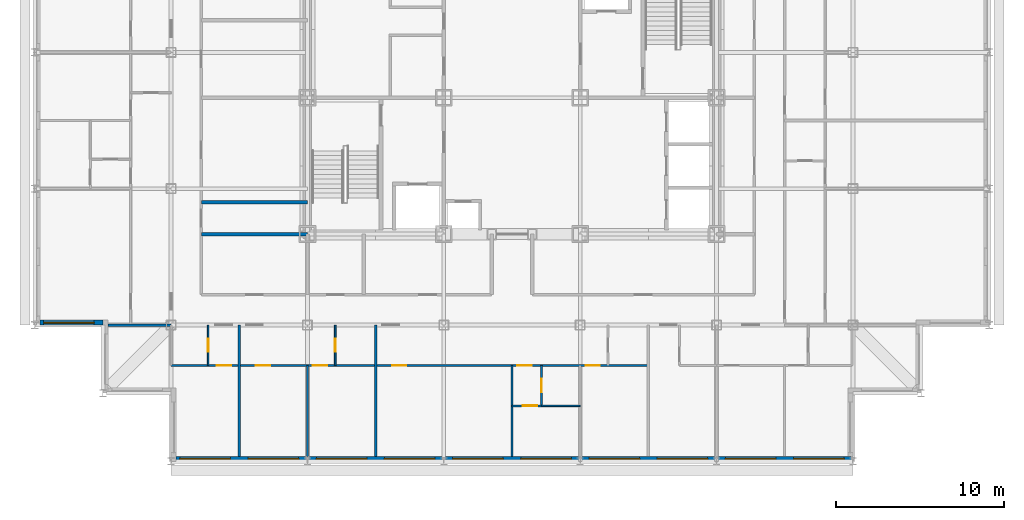
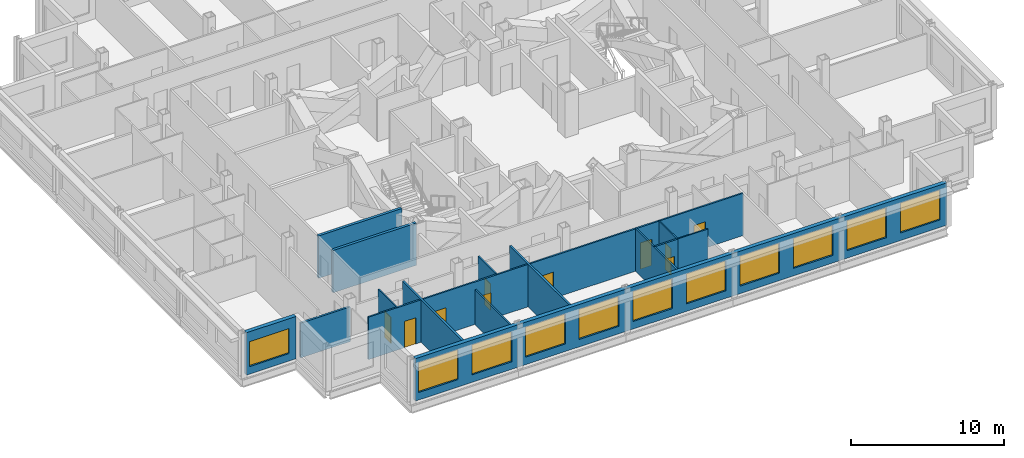
# One storey, part 4 of 12: 15 walls, 11 windows, 10 doors, 21 openings.
"""IFC4 building model written with IfcOpenShell, lengths in metres."""

from ifc_helpers import new_model, si_unit, direction, frame, frame_2d, origin, place, context, subcontext, project, spatial, rectangle, extrude, material, layer, layer_set, type_object, element, fill, save


model = new_model("IFC4")

# Units and contexts
model_context = context("Model", 3, precision=1e-05, world=origin(), true_north=direction((0.0, 1.0)))
body_context = subcontext(model_context, "Body", "Model", "MODEL_VIEW")
ifc_project = project(units=[si_unit("LENGTHUNIT", "METRE"), si_unit("AREAUNIT", "SQUARE_METRE"), si_unit("VOLUMEUNIT", "CUBIC_METRE"), si_unit("PLANEANGLEUNIT", "RADIAN"), si_unit("MASSUNIT", "GRAM", prefix="KILO")], contexts=[model_context])

# Site, building, storey
site_placement = place(None, origin())
site = spatial("IfcSite", under=ifc_project, at=site_placement, CompositionType="ELEMENT")
building_placement = place(site_placement, origin())
building = spatial("IfcBuilding", under=site, at=building_placement, Name="Kopane Lantern Tower", CompositionType="ELEMENT")
storey_placement = place(building_placement, frame((0.0, 0.0, 206.39990234375)))
storey = spatial("IfcBuildingStorey", under=building, at=storey_placement, Name="L53", CompositionType="ELEMENT", Elevation=206.39990234375)

# Walls
ifc_material_1 = material(Name="Gypsum board on steel studs", Category="steel")
ifc_layer_1 = layer(ifc_material_1, 0.1201171875)
ifc_layer_set_1 = layer_set([ifc_layer_1], Name="APARTMENT INTERNAL WALL 120")
wall_type_1 = type_object("IfcWallType", Name="APARTMENT INTERNAL WALL 120", PredefinedType="PARTITIONING", material=ifc_layer_set_1)
wall_1_placement = place(storey_placement, frame((16.199951171875, 16.5, 0.0), z_axis=(0.0, 0.0, 1.0), x_axis=(0.0, -1.0, 0.0)))
element("IfcWall", 1, at=wall_1_placement, inside=storey, type_object=wall_type_1, Name="Apartment Internal Wall 120 L53", PredefinedType="PARTITIONING", context=body_context, shape_type="SweptSolid", body=[
    extrude(rectangle(XDim=5.39990234375, YDim=0.1201171875, at=frame_2d((2.699951171875, 0.0))), origin(), (0.0, 0.0, 1.0), 2.77783203125),
])
wall_2_placement = place(storey_placement, frame((28.35009765625, 16.5, 0.0), z_axis=(0.0, 0.0, 1.0), x_axis=(0.0, -1.0, 0.0)))
element("IfcWall", 2, at=wall_2_placement, inside=storey, type_object=wall_type_1, Name="Apartment Internal Wall 120 L53", PredefinedType="PARTITIONING", context=body_context, shape_type="SweptSolid", body=[
    extrude(rectangle(XDim=5.39990234375, YDim=0.1201171875, at=frame_2d((2.699951171875, 0.0))), origin(), (0.0, 0.0, 1.0), 3.39013671875),
])

# Wall, openings, doors
wall_3_placement = place(storey_placement, frame((8.10009765625, 16.5, 0.0), z_axis=(0.0, 0.0, 1.0), x_axis=(1.0, 0.0, 0.0)))
wall_3 = element("IfcWall", 3, at=wall_3_placement, inside=storey, type_object=wall_type_1, Name="Apartment Internal Wall 120 L53", PredefinedType="PARTITIONING", context=body_context, shape_type="SweptSolid", body=[
    extrude(rectangle(XDim=28.349853515625, YDim=0.1201171875, at=frame_2d((14.1748046875, 0.0))), origin(), (0.0, 0.0, 1.0), 3.39013671875),
])
opening_1_placement = place(wall_3_placement, frame((5.02490234375, 0.0, 0.0)))
opening_1 = element("IfcOpeningElement", 4, at=opening_1_placement, cuts=wall_3, Name="Opening L53-019", PredefinedType="OPENING", context=body_context, shape_type="SweptSolid", body=[
    extrude(rectangle(XDim=0.85009765625, YDim=2.10009765625, at=frame_2d((0.425048828125, 1.050048828125))), frame((0.0, 0.070068359375, 0.0), z_axis=(0.0, -1.0, 0.0), x_axis=(1.0, 0.0, 0.0)), (0.0, 0.0, 1.0), 0.14013671875),
])
opening_2_placement = place(wall_3_placement, frame((8.425048828125, 0.0, 0.0)))
opening_2 = element("IfcOpeningElement", 5, at=opening_2_placement, cuts=wall_3, Name="Opening L53-020", PredefinedType="OPENING", context=body_context, shape_type="SweptSolid", body=[
    extrude(rectangle(XDim=0.85009765625, YDim=2.10009765625, at=frame_2d((0.425048828125, 1.050048828125))), frame((0.0, 0.070068359375, 0.0), z_axis=(0.0, -1.0, 0.0), x_axis=(1.0, 0.0, 0.0)), (0.0, 0.0, 1.0), 0.14013671875),
])
opening_3_placement = place(wall_3_placement, frame((13.125, 0.0, 0.0)))
opening_3 = element("IfcOpeningElement", 6, at=opening_3_placement, cuts=wall_3, Name="Opening L53-023", PredefinedType="OPENING", context=body_context, shape_type="SweptSolid", body=[
    extrude(rectangle(XDim=0.85009765625, YDim=2.10009765625, at=frame_2d((0.425048828125, 1.050048828125))), frame((0.0, 0.070068359375, 0.0), z_axis=(0.0, -1.0, 0.0), x_axis=(1.0, 0.0, 0.0)), (0.0, 0.0, 1.0), 0.14013671875),
])
opening_4_placement = place(wall_3_placement, frame((20.574951171875, 0.0, 0.0)))
opening_4 = element("IfcOpeningElement", 7, at=opening_4_placement, cuts=wall_3, Name="Opening L53-025", PredefinedType="OPENING", context=body_context, shape_type="SweptSolid", body=[
    extrude(rectangle(XDim=0.85009765625, YDim=2.10009765625, at=frame_2d((0.425048828125, 1.050048828125))), frame((0.0, 0.070068359375, 0.0), z_axis=(0.0, -1.0, 0.0), x_axis=(1.0, 0.0, 0.0)), (0.0, 0.0, 1.0), 0.14013671875),
])
opening_5_placement = place(wall_3_placement, frame((24.625, 0.0, 0.0)))
opening_5 = element("IfcOpeningElement", 8, at=opening_5_placement, cuts=wall_3, Name="Opening L53-026", PredefinedType="OPENING", context=body_context, shape_type="SweptSolid", body=[
    extrude(rectangle(XDim=0.85009765625, YDim=2.10009765625, at=frame_2d((0.425048828125, 1.050048828125))), frame((0.0, 0.070068359375, 0.0), z_axis=(0.0, -1.0, 0.0), x_axis=(1.0, 0.0, 0.0)), (0.0, 0.0, 1.0), 0.14013671875),
])
opening_6_placement = place(wall_3_placement, frame((2.72509765625, 0.0, 0.0)))
opening_6 = element("IfcOpeningElement", 9, at=opening_6_placement, cuts=wall_3, Name="Opening L53-065", PredefinedType="OPENING", context=body_context, shape_type="SweptSolid", body=[
    extrude(rectangle(XDim=0.85009765625, YDim=2.10009765625, at=frame_2d((0.425048828125, 1.050048828125))), frame((0.0, 0.070068359375, 0.0), z_axis=(0.0, -1.0, 0.0), x_axis=(1.0, 0.0, 0.0)), (0.0, 0.0, 1.0), 0.14013671875),
])
ifc_material_2 = material(Name="Timber door set", Category="wood")
door_type_1 = type_object("IfcDoorType", Name="DOOR D4 850x2100", OperationType="SINGLE_SWING_LEFT", PredefinedType="DOOR", material=ifc_material_2)
door_1_placement = place(opening_1_placement, origin())
door_1 = element("IfcDoor", 10, at=door_1_placement, inside=storey, type_object=door_type_1, Name="Door L53-019", OperationType="SINGLE_SWING_LEFT", OverallHeight=2.10009765625, OverallWidth=0.85009765625, PredefinedType="DOOR", context=body_context, shape_type="SweptSolid", body=[
    extrude(rectangle(XDim=0.85009765625, YDim=2.10009765625, at=frame_2d((0.425048828125, 1.050048828125))), frame((0.0, 0.02490234375, 0.0), z_axis=(0.0, -1.0, 0.0), x_axis=(1.0, 0.0, 0.0)), (0.0, 0.0, 1.0), 0.050048828125),
])
fill(opening_1, door_1)
door_2_placement = place(opening_2_placement, origin())
door_2 = element("IfcDoor", 11, at=door_2_placement, inside=storey, type_object=door_type_1, Name="Door L53-020", OperationType="SINGLE_SWING_RIGHT", OverallHeight=2.10009765625, OverallWidth=0.85009765625, PredefinedType="DOOR", context=body_context, shape_type="SweptSolid", body=[
    extrude(rectangle(XDim=0.85009765625, YDim=2.10009765625, at=frame_2d((0.425048828125, 1.050048828125))), frame((0.0, 0.02490234375, 0.0), z_axis=(0.0, -1.0, 0.0), x_axis=(1.0, 0.0, 0.0)), (0.0, 0.0, 1.0), 0.050048828125),
])
fill(opening_2, door_2)
door_3_placement = place(opening_3_placement, origin())
door_3 = element("IfcDoor", 12, at=door_3_placement, inside=storey, type_object=door_type_1, Name="Door L53-023", OperationType="SINGLE_SWING_RIGHT", OverallHeight=2.10009765625, OverallWidth=0.85009765625, PredefinedType="DOOR", context=body_context, shape_type="SweptSolid", body=[
    extrude(rectangle(XDim=0.85009765625, YDim=2.10009765625, at=frame_2d((0.425048828125, 1.050048828125))), frame((0.0, 0.02490234375, 0.0), z_axis=(0.0, -1.0, 0.0), x_axis=(1.0, 0.0, 0.0)), (0.0, 0.0, 1.0), 0.050048828125),
])
fill(opening_3, door_3)
door_4_placement = place(opening_4_placement, origin())
door_4 = element("IfcDoor", 13, at=door_4_placement, inside=storey, type_object=door_type_1, Name="Door L53-025", OperationType="SINGLE_SWING_RIGHT", OverallHeight=2.10009765625, OverallWidth=0.85009765625, PredefinedType="DOOR", context=body_context, shape_type="SweptSolid", body=[
    extrude(rectangle(XDim=0.85009765625, YDim=2.10009765625, at=frame_2d((0.425048828125, 1.050048828125))), frame((0.0, 0.02490234375, 0.0), z_axis=(0.0, -1.0, 0.0), x_axis=(1.0, 0.0, 0.0)), (0.0, 0.0, 1.0), 0.050048828125),
])
fill(opening_4, door_4)
door_5_placement = place(opening_5_placement, origin())
door_5 = element("IfcDoor", 14, at=door_5_placement, inside=storey, type_object=door_type_1, Name="Door L53-026", OperationType="SINGLE_SWING_RIGHT", OverallHeight=2.10009765625, OverallWidth=0.85009765625, PredefinedType="DOOR", context=body_context, shape_type="SweptSolid", body=[
    extrude(rectangle(XDim=0.85009765625, YDim=2.10009765625, at=frame_2d((0.425048828125, 1.050048828125))), frame((0.0, 0.02490234375, 0.0), z_axis=(0.0, -1.0, 0.0), x_axis=(1.0, 0.0, 0.0)), (0.0, 0.0, 1.0), 0.050048828125),
])
fill(opening_5, door_5)
door_6_placement = place(opening_6_placement, origin())
door_6 = element("IfcDoor", 15, at=door_6_placement, inside=storey, type_object=door_type_1, Name="Door L53-065", OperationType="SINGLE_SWING_LEFT", OverallHeight=2.10009765625, OverallWidth=0.85009765625, PredefinedType="DOOR", context=body_context, shape_type="SweptSolid", body=[
    extrude(rectangle(XDim=0.85009765625, YDim=2.10009765625, at=frame_2d((0.425048828125, 1.050048828125))), frame((0.0, 0.02490234375, 0.0), z_axis=(0.0, -1.0, 0.0), x_axis=(1.0, 0.0, 0.0)), (0.0, 0.0, 1.0), 0.050048828125),
])
fill(opening_6, door_6)

# Wall, opening, door
wall_4_placement = place(storey_placement, frame((30.110107421875, 14.10009765625, 0.0), z_axis=(0.0, 0.0, 1.0), x_axis=(-1.0, 0.0, 0.0)))
wall_4 = element("IfcWall", 16, at=wall_4_placement, inside=storey, type_object=wall_type_1, Name="Apartment Internal Wall 120 L53", PredefinedType="PARTITIONING", context=body_context, shape_type="SweptSolid", body=[
    extrude(rectangle(XDim=1.760009765625, YDim=0.1201171875, at=frame_2d((0.8798828125, 0.0))), origin(), (0.0, 0.0, 1.0), 3.39013671875),
])
opening_7_placement = place(wall_4_placement, frame((0.27490234375, 0.0, 0.0)))
opening_7 = element("IfcOpeningElement", 17, at=opening_7_placement, cuts=wall_4, Name="Opening L53-080", PredefinedType="OPENING", context=body_context, shape_type="SweptSolid", body=[
    extrude(rectangle(XDim=0.85009765625, YDim=2.10009765625, at=frame_2d((0.425048828125, 1.050048828125))), frame((0.0, 0.070068359375, 0.0), z_axis=(0.0, -1.0, 0.0), x_axis=(1.0, 0.0, 0.0)), (0.0, 0.0, 1.0), 0.14013671875),
])
door_7_placement = place(opening_7_placement, origin())
door_7 = element("IfcDoor", 18, at=door_7_placement, inside=storey, type_object=door_type_1, Name="Door L53-080", OperationType="SINGLE_SWING_RIGHT", OverallHeight=2.10009765625, OverallWidth=0.85009765625, PredefinedType="DOOR", context=body_context, shape_type="SweptSolid", body=[
    extrude(rectangle(XDim=0.85009765625, YDim=2.10009765625, at=frame_2d((0.425048828125, 1.050048828125))), frame((0.0, 0.02490234375, 0.0), z_axis=(0.0, -1.0, 0.0), x_axis=(1.0, 0.0, 0.0)), (0.0, 0.0, 1.0), 0.050048828125),
])
fill(opening_7, door_7)

ifc_material_3 = material(Name="Moisture-resistant board on steel studs", Category="steel")
ifc_layer_2 = layer(ifc_material_3, 0.10009765625)
ifc_layer_set_2 = layer_set([ifc_layer_2], Name="BATHROOM WALL 100")
wall_type_2 = type_object("IfcWallType", Name="BATHROOM WALL 100", PredefinedType="PARTITIONING", material=ifc_layer_set_2)
wall_5_placement = place(storey_placement, frame((17.85009765625, 18.89990234375, 0.0), z_axis=(0.0, 0.0, 1.0), x_axis=(0.0, -1.0, 0.0)))
wall_5 = element("IfcWall", 19, at=wall_5_placement, inside=storey, type_object=wall_type_2, Name="Bathroom Wall 100 L53", PredefinedType="PARTITIONING", context=body_context, shape_type="SweptSolid", body=[
    extrude(rectangle(XDim=2.39990234375, YDim=0.10009765625, at=frame_2d((1.199951171875, 0.0))), origin(), (0.0, 0.0, 1.0), 3.39013671875),
])
opening_8_placement = place(wall_5_placement, frame((0.800048828125, 0.0, 0.0)))
opening_8 = element("IfcOpeningElement", 20, at=opening_8_placement, cuts=wall_5, Name="Opening L53-017", PredefinedType="OPENING", context=body_context, shape_type="SweptSolid", body=[
    extrude(rectangle(XDim=0.800048828125, YDim=2.10009765625, at=frame_2d((0.39990234375, 1.050048828125))), frame((0.0, 0.06005859375, 0.0), z_axis=(0.0, -1.0, 0.0), x_axis=(1.0, 0.0, 0.0)), (0.0, 0.0, 1.0), 0.1201171875),
])
ifc_material_4 = material(Name="Timber door set", Category="wood")
door_type_2 = type_object("IfcDoorType", Name="DOOR D2 800x2100", OperationType="SINGLE_SWING_LEFT", PredefinedType="DOOR", material=ifc_material_4)
door_8_placement = place(opening_8_placement, origin())
door_8 = element("IfcDoor", 21, at=door_8_placement, inside=storey, type_object=door_type_2, Name="Door L53-017", OperationType="SINGLE_SWING_LEFT", OverallHeight=2.10009765625, OverallWidth=0.800048828125, PredefinedType="DOOR", context=body_context, shape_type="SweptSolid", body=[
    extrude(rectangle(XDim=0.800048828125, YDim=2.10009765625, at=frame_2d((0.39990234375, 1.050048828125))), frame((0.0, 0.02490234375, 0.0), z_axis=(0.0, -1.0, 0.0), x_axis=(1.0, 0.0, 0.0)), (0.0, 0.0, 1.0), 0.050048828125),
])
fill(opening_8, door_8)

wall_6_placement = place(storey_placement, frame((30.10009765625, 16.5, 0.0), z_axis=(0.0, 0.0, 1.0), x_axis=(0.0, -1.0, 0.0)))
wall_6 = element("IfcWall", 22, at=wall_6_placement, inside=storey, type_object=wall_type_2, Name="Bathroom Wall 100 L53", PredefinedType="PARTITIONING", context=body_context, shape_type="SweptSolid", body=[
    extrude(rectangle(XDim=2.39990234375, YDim=0.10009765625, at=frame_2d((1.199951171875, 0.0))), origin(), (0.0, 0.0, 1.0), 3.39013671875),
])
opening_9_placement = place(wall_6_placement, frame((0.800048828125, 0.0, 0.0)))
opening_9 = element("IfcOpeningElement", 23, at=opening_9_placement, cuts=wall_6, Name="Opening L53-024", PredefinedType="OPENING", context=body_context, shape_type="SweptSolid", body=[
    extrude(rectangle(XDim=0.800048828125, YDim=2.10009765625, at=frame_2d((0.39990234375, 1.050048828125))), frame((0.0, 0.06005859375, 0.0), z_axis=(0.0, -1.0, 0.0), x_axis=(1.0, 0.0, 0.0)), (0.0, 0.0, 1.0), 0.1201171875),
])
door_9_placement = place(opening_9_placement, origin())
door_9 = element("IfcDoor", 24, at=door_9_placement, inside=storey, type_object=door_type_2, Name="Door L53-024", OperationType="SINGLE_SWING_LEFT", OverallHeight=2.10009765625, OverallWidth=0.800048828125, PredefinedType="DOOR", context=body_context, shape_type="SweptSolid", body=[
    extrude(rectangle(XDim=0.800048828125, YDim=2.10009765625, at=frame_2d((0.39990234375, 1.050048828125))), frame((0.0, 0.02490234375, 0.0), z_axis=(0.0, -1.0, 0.0), x_axis=(1.0, 0.0, 0.0)), (0.0, 0.0, 1.0), 0.050048828125),
])
fill(opening_9, door_9)

# Wall
wall_7_placement = place(storey_placement, frame((30.10009765625, 14.10009765625, 0.0), z_axis=(0.0, 0.0, 1.0), x_axis=(1.0, 0.0, 0.0)))
element("IfcWall", 25, at=wall_7_placement, inside=storey, type_object=wall_type_2, Name="Bathroom Wall 100 L53", PredefinedType="PARTITIONING", context=body_context, shape_type="SweptSolid", body=[
    extrude(rectangle(XDim=2.2998046875, YDim=0.10009765625, at=frame_2d((1.14990234375, 0.0))), origin(), (0.0, 0.0, 1.0), 3.39013671875),
])

# Wall, opening, door
wall_8_placement = place(storey_placement, frame((10.300048828125, 18.89990234375, 0.0), z_axis=(0.0, 0.0, 1.0), x_axis=(0.0, -1.0, 0.0)))
wall_8 = element("IfcWall", 26, at=wall_8_placement, inside=storey, type_object=wall_type_2, Name="Bathroom Wall 100 L53", PredefinedType="PARTITIONING", context=body_context, shape_type="SweptSolid", body=[
    extrude(rectangle(XDim=2.39990234375, YDim=0.10009765625, at=frame_2d((1.199951171875, 0.0))), origin(), (0.0, 0.0, 1.0), 3.39013671875),
])
opening_10_placement = place(wall_8_placement, frame((0.800048828125, 0.0, 0.0)))
opening_10 = element("IfcOpeningElement", 27, at=opening_10_placement, cuts=wall_8, Name="Opening L53-063", PredefinedType="OPENING", context=body_context, shape_type="SweptSolid", body=[
    extrude(rectangle(XDim=0.800048828125, YDim=2.10009765625, at=frame_2d((0.39990234375, 1.050048828125))), frame((0.0, 0.06005859375, 0.0), z_axis=(0.0, -1.0, 0.0), x_axis=(1.0, 0.0, 0.0)), (0.0, 0.0, 1.0), 0.1201171875),
])
door_10_placement = place(opening_10_placement, origin())
door_10 = element("IfcDoor", 28, at=door_10_placement, inside=storey, type_object=door_type_2, Name="Door L53-063", OperationType="SINGLE_SWING_RIGHT", OverallHeight=2.10009765625, OverallWidth=0.800048828125, PredefinedType="DOOR", context=body_context, shape_type="SweptSolid", body=[
    extrude(rectangle(XDim=0.800048828125, YDim=2.10009765625, at=frame_2d((0.39990234375, 1.050048828125))), frame((0.0, 0.02490234375, 0.0), z_axis=(0.0, -1.0, 0.0), x_axis=(1.0, 0.0, 0.0)), (0.0, 0.0, 1.0), 0.050048828125),
])
fill(opening_10, door_10)

# Walls
ifc_material_5 = material(Name="Gypsum board on steel studs", Category="steel")
ifc_layer_3 = layer(ifc_material_5, 0.14990234375)
ifc_layer_set_3 = layer_set([ifc_layer_3], Name="DEMISING WALL 150 EI 60")
wall_type_3 = type_object("IfcWallType", Name="DEMISING WALL 150 EI 60", PredefinedType="PARTITIONING", material=ifc_layer_set_3)
wall_9_placement = place(storey_placement, frame((20.25, 18.89990234375, 0.0), z_axis=(0.0, 0.0, 1.0), x_axis=(0.0, -1.0, 0.0)))
element("IfcWall", 29, at=wall_9_placement, inside=storey, type_object=wall_type_3, Name="Demising Wall 150 Ei 60 L53", PredefinedType="PARTITIONING", context=body_context, shape_type="SweptSolid", body=[
    extrude(rectangle(XDim=7.7998046875, YDim=0.14990234375, at=frame_2d((3.89990234375, 0.0))), origin(), (0.0, 0.0, 1.0), 3.39013671875),
])
wall_10_placement = place(storey_placement, frame((4.35009765625, 18.89990234375, 0.0), z_axis=(0.0, 0.0, 1.0), x_axis=(1.0, 0.0, 0.0)))
element("IfcWall", 30, at=wall_10_placement, inside=storey, type_object=wall_type_3, Name="Demising Wall 150 Ei 60 L53", PredefinedType="PARTITIONING", context=body_context, shape_type="SweptSolid", body=[
    extrude(rectangle(XDim=3.75, YDim=0.14990234375, at=frame_2d((1.875, 0.0))), origin(), (0.0, 0.0, 1.0), 2.77783203125),
])
wall_11_placement = place(storey_placement, frame((12.14990234375, 18.89990234375, 0.0), z_axis=(0.0, 0.0, 1.0), x_axis=(0.0, -1.0, 0.0)))
element("IfcWall", 31, at=wall_11_placement, inside=storey, type_object=wall_type_3, Name="Demising Wall 150 Ei 60 L53", PredefinedType="PARTITIONING", context=body_context, shape_type="SweptSolid", body=[
    extrude(rectangle(XDim=7.7998046875, YDim=0.14990234375, at=frame_2d((3.89990234375, 0.0))), origin(), (0.0, 0.0, 1.0), 3.39013671875),
])

# Wall, openings, windows
ifc_material_6 = material(Name="Terracotta rainscreen on light steel framing", Category="masonry")
ifc_layer_4 = layer(ifc_material_6, 0.300048828125)
ifc_layer_set_4 = layer_set([ifc_layer_4], Name="EXTERNAL WALL EW1 300 TERRACOTTA")
wall_type_4 = type_object("IfcWallType", Name="EXTERNAL WALL EW1 300 TERRACOTTA", PredefinedType="SOLIDWALL", material=ifc_layer_set_4)
wall_12_placement = place(storey_placement, frame((8.39990234375, 10.949951171875, 0.0), z_axis=(0.0, 0.0, 1.0), x_axis=(1.0, 0.0, 0.0)))
wall_12 = element("IfcWall", 32, at=wall_12_placement, inside=storey, type_object=wall_type_4, Name="External wall S L53", PredefinedType="SOLIDWALL", context=body_context, shape_type="SweptSolid", body=[
    extrude(rectangle(XDim=40.2001953125, YDim=0.300048828125, at=frame_2d((20.10009765625, 0.0))), origin(), (0.0, 0.0, 1.0), 3.39013671875),
])
opening_11_placement = place(wall_12_placement, frame((0.22509765625, 0.0, 0.60009765625)))
opening_11 = element("IfcOpeningElement", 33, at=opening_11_placement, cuts=wall_12, Name="Opening WR300240", PredefinedType="OPENING", context=body_context, shape_type="SweptSolid", body=[
    extrude(rectangle(XDim=3.0, YDim=2.39990234375, at=frame_2d((1.5, 1.199951171875))), frame((0.0, 0.159912109375, 0.0), z_axis=(0.0, -1.0, 0.0), x_axis=(1.0, 0.0, 0.0)), (0.0, 0.0, 1.0), 0.320068359375),
])
opening_12_placement = place(wall_12_placement, frame((4.27490234375, 0.0, 0.60009765625)))
opening_12 = element("IfcOpeningElement", 34, at=opening_12_placement, cuts=wall_12, Name="Opening WR300240", PredefinedType="OPENING", context=body_context, shape_type="SweptSolid", body=[
    extrude(rectangle(XDim=3.0, YDim=2.39990234375, at=frame_2d((1.5, 1.199951171875))), frame((0.0, 0.159912109375, 0.0), z_axis=(0.0, -1.0, 0.0), x_axis=(1.0, 0.0, 0.0)), (0.0, 0.0, 1.0), 0.320068359375),
])
opening_13_placement = place(wall_12_placement, frame((8.324951171875, 0.0, 0.60009765625)))
opening_13 = element("IfcOpeningElement", 35, at=opening_13_placement, cuts=wall_12, Name="Opening WR300240", PredefinedType="OPENING", context=body_context, shape_type="SweptSolid", body=[
    extrude(rectangle(XDim=3.0, YDim=2.39990234375, at=frame_2d((1.5, 1.199951171875))), frame((0.0, 0.159912109375, 0.0), z_axis=(0.0, -1.0, 0.0), x_axis=(1.0, 0.0, 0.0)), (0.0, 0.0, 1.0), 0.320068359375),
])
opening_14_placement = place(wall_12_placement, frame((12.375, 0.0, 0.60009765625)))
opening_14 = element("IfcOpeningElement", 36, at=opening_14_placement, cuts=wall_12, Name="Opening WR300240", PredefinedType="OPENING", context=body_context, shape_type="SweptSolid", body=[
    extrude(rectangle(XDim=3.0, YDim=2.39990234375, at=frame_2d((1.5, 1.199951171875))), frame((0.0, 0.159912109375, 0.0), z_axis=(0.0, -1.0, 0.0), x_axis=(1.0, 0.0, 0.0)), (0.0, 0.0, 1.0), 0.320068359375),
])
opening_15_placement = place(wall_12_placement, frame((16.425048828125, 0.0, 0.60009765625)))
opening_15 = element("IfcOpeningElement", 37, at=opening_15_placement, cuts=wall_12, Name="Opening WR300240", PredefinedType="OPENING", context=body_context, shape_type="SweptSolid", body=[
    extrude(rectangle(XDim=3.0, YDim=2.39990234375, at=frame_2d((1.5, 1.199951171875))), frame((0.0, 0.159912109375, 0.0), z_axis=(0.0, -1.0, 0.0), x_axis=(1.0, 0.0, 0.0)), (0.0, 0.0, 1.0), 0.320068359375),
])
opening_16_placement = place(wall_12_placement, frame((20.47509765625, 0.0, 0.60009765625)))
opening_16 = element("IfcOpeningElement", 38, at=opening_16_placement, cuts=wall_12, Name="Opening WR300240", PredefinedType="OPENING", context=body_context, shape_type="SweptSolid", body=[
    extrude(rectangle(XDim=3.0, YDim=2.39990234375, at=frame_2d((1.5, 1.199951171875))), frame((0.0, 0.159912109375, 0.0), z_axis=(0.0, -1.0, 0.0), x_axis=(1.0, 0.0, 0.0)), (0.0, 0.0, 1.0), 0.320068359375),
])
opening_17_placement = place(wall_12_placement, frame((24.52490234375, 0.0, 0.60009765625)))
opening_17 = element("IfcOpeningElement", 39, at=opening_17_placement, cuts=wall_12, Name="Opening WR300240", PredefinedType="OPENING", context=body_context, shape_type="SweptSolid", body=[
    extrude(rectangle(XDim=3.0, YDim=2.39990234375, at=frame_2d((1.5, 1.199951171875))), frame((0.0, 0.159912109375, 0.0), z_axis=(0.0, -1.0, 0.0), x_axis=(1.0, 0.0, 0.0)), (0.0, 0.0, 1.0), 0.320068359375),
])
opening_18_placement = place(wall_12_placement, frame((28.574951171875, 0.0, 0.60009765625)))
opening_18 = element("IfcOpeningElement", 40, at=opening_18_placement, cuts=wall_12, Name="Opening WR300240", PredefinedType="OPENING", context=body_context, shape_type="SweptSolid", body=[
    extrude(rectangle(XDim=3.0, YDim=2.39990234375, at=frame_2d((1.5, 1.199951171875))), frame((0.0, 0.159912109375, 0.0), z_axis=(0.0, -1.0, 0.0), x_axis=(1.0, 0.0, 0.0)), (0.0, 0.0, 1.0), 0.320068359375),
])
opening_19_placement = place(wall_12_placement, frame((32.625, 0.0, 0.60009765625)))
opening_19 = element("IfcOpeningElement", 41, at=opening_19_placement, cuts=wall_12, Name="Opening WR300240", PredefinedType="OPENING", context=body_context, shape_type="SweptSolid", body=[
    extrude(rectangle(XDim=3.0, YDim=2.39990234375, at=frame_2d((1.5, 1.199951171875))), frame((0.0, 0.159912109375, 0.0), z_axis=(0.0, -1.0, 0.0), x_axis=(1.0, 0.0, 0.0)), (0.0, 0.0, 1.0), 0.320068359375),
])
opening_20_placement = place(wall_12_placement, frame((36.675048828125, 0.0, 0.60009765625)))
opening_20 = element("IfcOpeningElement", 42, at=opening_20_placement, cuts=wall_12, Name="Opening WR300240", PredefinedType="OPENING", context=body_context, shape_type="SweptSolid", body=[
    extrude(rectangle(XDim=3.0, YDim=2.39990234375, at=frame_2d((1.5, 1.199951171875))), frame((0.0, 0.159912109375, 0.0), z_axis=(0.0, -1.0, 0.0), x_axis=(1.0, 0.0, 0.0)), (0.0, 0.0, 1.0), 0.320068359375),
])
ifc_material_7 = material(Name="Aluminium and clear glass", Category="aluminium")
window_type_1 = type_object("IfcWindowType", Name="RIBBON WINDOW WR300240 3000x2400", PartitioningType="SINGLE_PANEL", PredefinedType="WINDOW", material=ifc_material_7)
window_1_placement = place(opening_11_placement, origin())
window_1 = element("IfcWindow", 43, at=window_1_placement, inside=storey, type_object=window_type_1, Name="Window S L53", OverallHeight=2.39990234375, OverallWidth=3.0, PartitioningType="SINGLE_PANEL", PredefinedType="WINDOW", context=body_context, shape_type="SweptSolid", body=[
    extrude(rectangle(XDim=3.0, YDim=2.39990234375, at=frame_2d((1.5, 1.199951171875))), frame((0.0, 0.030029296875, 0.0), z_axis=(0.0, -1.0, 0.0), x_axis=(1.0, 0.0, 0.0)), (0.0, 0.0, 1.0), 0.06005859375),
])
fill(opening_11, window_1)
window_2_placement = place(opening_12_placement, origin())
window_2 = element("IfcWindow", 44, at=window_2_placement, inside=storey, type_object=window_type_1, Name="Window S L53", OverallHeight=2.39990234375, OverallWidth=3.0, PartitioningType="SINGLE_PANEL", PredefinedType="WINDOW", context=body_context, shape_type="SweptSolid", body=[
    extrude(rectangle(XDim=3.0, YDim=2.39990234375, at=frame_2d((1.5, 1.199951171875))), frame((0.0, 0.030029296875, 0.0), z_axis=(0.0, -1.0, 0.0), x_axis=(1.0, 0.0, 0.0)), (0.0, 0.0, 1.0), 0.06005859375),
])
fill(opening_12, window_2)
window_3_placement = place(opening_13_placement, origin())
window_3 = element("IfcWindow", 45, at=window_3_placement, inside=storey, type_object=window_type_1, Name="Window S L53", OverallHeight=2.39990234375, OverallWidth=3.0, PartitioningType="SINGLE_PANEL", PredefinedType="WINDOW", context=body_context, shape_type="SweptSolid", body=[
    extrude(rectangle(XDim=3.0, YDim=2.39990234375, at=frame_2d((1.5, 1.199951171875))), frame((0.0, 0.030029296875, 0.0), z_axis=(0.0, -1.0, 0.0), x_axis=(1.0, 0.0, 0.0)), (0.0, 0.0, 1.0), 0.06005859375),
])
fill(opening_13, window_3)
window_4_placement = place(opening_14_placement, origin())
window_4 = element("IfcWindow", 46, at=window_4_placement, inside=storey, type_object=window_type_1, Name="Window S L53", OverallHeight=2.39990234375, OverallWidth=3.0, PartitioningType="SINGLE_PANEL", PredefinedType="WINDOW", context=body_context, shape_type="SweptSolid", body=[
    extrude(rectangle(XDim=3.0, YDim=2.39990234375, at=frame_2d((1.5, 1.199951171875))), frame((0.0, 0.030029296875, 0.0), z_axis=(0.0, -1.0, 0.0), x_axis=(1.0, 0.0, 0.0)), (0.0, 0.0, 1.0), 0.06005859375),
])
fill(opening_14, window_4)
window_5_placement = place(opening_15_placement, origin())
window_5 = element("IfcWindow", 47, at=window_5_placement, inside=storey, type_object=window_type_1, Name="Window S L53", OverallHeight=2.39990234375, OverallWidth=3.0, PartitioningType="SINGLE_PANEL", PredefinedType="WINDOW", context=body_context, shape_type="SweptSolid", body=[
    extrude(rectangle(XDim=3.0, YDim=2.39990234375, at=frame_2d((1.5, 1.199951171875))), frame((0.0, 0.030029296875, 0.0), z_axis=(0.0, -1.0, 0.0), x_axis=(1.0, 0.0, 0.0)), (0.0, 0.0, 1.0), 0.06005859375),
])
fill(opening_15, window_5)
window_6_placement = place(opening_16_placement, origin())
window_6 = element("IfcWindow", 48, at=window_6_placement, inside=storey, type_object=window_type_1, Name="Window S L53", OverallHeight=2.39990234375, OverallWidth=3.0, PartitioningType="SINGLE_PANEL", PredefinedType="WINDOW", context=body_context, shape_type="SweptSolid", body=[
    extrude(rectangle(XDim=3.0, YDim=2.39990234375, at=frame_2d((1.5, 1.199951171875))), frame((0.0, 0.030029296875, 0.0), z_axis=(0.0, -1.0, 0.0), x_axis=(1.0, 0.0, 0.0)), (0.0, 0.0, 1.0), 0.06005859375),
])
fill(opening_16, window_6)
window_7_placement = place(opening_17_placement, origin())
window_7 = element("IfcWindow", 49, at=window_7_placement, inside=storey, type_object=window_type_1, Name="Window S L53", OverallHeight=2.39990234375, OverallWidth=3.0, PartitioningType="SINGLE_PANEL", PredefinedType="WINDOW", context=body_context, shape_type="SweptSolid", body=[
    extrude(rectangle(XDim=3.0, YDim=2.39990234375, at=frame_2d((1.5, 1.199951171875))), frame((0.0, 0.030029296875, 0.0), z_axis=(0.0, -1.0, 0.0), x_axis=(1.0, 0.0, 0.0)), (0.0, 0.0, 1.0), 0.06005859375),
])
fill(opening_17, window_7)
window_8_placement = place(opening_18_placement, origin())
window_8 = element("IfcWindow", 50, at=window_8_placement, inside=storey, type_object=window_type_1, Name="Window S L53", OverallHeight=2.39990234375, OverallWidth=3.0, PartitioningType="SINGLE_PANEL", PredefinedType="WINDOW", context=body_context, shape_type="SweptSolid", body=[
    extrude(rectangle(XDim=3.0, YDim=2.39990234375, at=frame_2d((1.5, 1.199951171875))), frame((0.0, 0.030029296875, 0.0), z_axis=(0.0, -1.0, 0.0), x_axis=(1.0, 0.0, 0.0)), (0.0, 0.0, 1.0), 0.06005859375),
])
fill(opening_18, window_8)
window_9_placement = place(opening_19_placement, origin())
window_9 = element("IfcWindow", 51, at=window_9_placement, inside=storey, type_object=window_type_1, Name="Window S L53", OverallHeight=2.39990234375, OverallWidth=3.0, PartitioningType="SINGLE_PANEL", PredefinedType="WINDOW", context=body_context, shape_type="SweptSolid", body=[
    extrude(rectangle(XDim=3.0, YDim=2.39990234375, at=frame_2d((1.5, 1.199951171875))), frame((0.0, 0.030029296875, 0.0), z_axis=(0.0, -1.0, 0.0), x_axis=(1.0, 0.0, 0.0)), (0.0, 0.0, 1.0), 0.06005859375),
])
fill(opening_19, window_9)
window_10_placement = place(opening_20_placement, origin())
window_10 = element("IfcWindow", 52, at=window_10_placement, inside=storey, type_object=window_type_1, Name="Window S L53", OverallHeight=2.39990234375, OverallWidth=3.0, PartitioningType="SINGLE_PANEL", PredefinedType="WINDOW", context=body_context, shape_type="SweptSolid", body=[
    extrude(rectangle(XDim=3.0, YDim=2.39990234375, at=frame_2d((1.5, 1.199951171875))), frame((0.0, 0.030029296875, 0.0), z_axis=(0.0, -1.0, 0.0), x_axis=(1.0, 0.0, 0.0)), (0.0, 0.0, 1.0), 0.06005859375),
])
fill(opening_20, window_10)

# Wall, opening, window
wall_13_placement = place(storey_placement, frame((0.300048828125, 19.050048828125, 0.0), z_axis=(0.0, 0.0, 1.0), x_axis=(1.0, 0.0, 0.0)))
wall_13 = element("IfcWall", 53, at=wall_13_placement, inside=storey, type_object=wall_type_4, Name="External wall S L53", PredefinedType="SOLIDWALL", context=body_context, shape_type="SweptSolid", body=[
    extrude(rectangle(XDim=3.75, YDim=0.300048828125, at=frame_2d((1.875, 0.0))), origin(), (0.0, 0.0, 1.0), 3.39013671875),
])
opening_21_placement = place(wall_13_placement, frame((0.22509765625, 0.0, 0.60009765625)))
opening_21 = element("IfcOpeningElement", 54, at=opening_21_placement, cuts=wall_13, Name="Opening WR300200", PredefinedType="OPENING", context=body_context, shape_type="SweptSolid", body=[
    extrude(rectangle(XDim=3.0, YDim=2.0, at=frame_2d((1.5, 1.0))), frame((0.0, 0.159912109375, 0.0), z_axis=(0.0, -1.0, 0.0), x_axis=(1.0, 0.0, 0.0)), (0.0, 0.0, 1.0), 0.320068359375),
])
ifc_material_8 = material(Name="Aluminium and clear glass", Category="aluminium")
window_type_2 = type_object("IfcWindowType", Name="RIBBON WINDOW WR300200 3000x2000", PartitioningType="SINGLE_PANEL", PredefinedType="WINDOW", material=ifc_material_8)
window_11_placement = place(opening_21_placement, origin())
window_11 = element("IfcWindow", 55, at=window_11_placement, inside=storey, type_object=window_type_2, Name="Window S L53", OverallHeight=2.0, OverallWidth=3.0, PartitioningType="SINGLE_PANEL", PredefinedType="WINDOW", context=body_context, shape_type="SweptSolid", body=[
    extrude(rectangle(XDim=3.0, YDim=2.0, at=frame_2d((1.5, 1.0))), frame((0.0, 0.030029296875, 0.0), z_axis=(0.0, -1.0, 0.0), x_axis=(1.0, 0.0, 0.0)), (0.0, 0.0, 1.0), 0.06005859375),
])
fill(opening_21, window_11)

# Walls
ifc_material_9 = material(Name="Concrete masonry", Category="masonry")
ifc_layer_5 = layer(ifc_material_9, 0.199951171875)
ifc_layer_set_5 = layer_set([ifc_layer_5], Name="PLANT ROOM WALL 200 EI 120")
wall_type_5 = type_object("IfcWallType", Name="PLANT ROOM WALL 200 EI 120", PredefinedType="SOLIDWALL", material=ifc_layer_set_5)
for number, where, z_axis, x_axis, name in (
    (56, (9.89990234375, 26.204833984375, 0.0), (0.0, 0.0, 1.0), (1.0, 0.0, 0.0), "Plant Room Wall 200 Ei 120 L53"),
    (57, (9.89990234375, 24.300048828125, 0.0), (0.0, 0.0, 1.0), (1.0, 0.0, 0.0), "Plant Room Wall 200 Ei 120 L53"),
):
    element("IfcWall", number, at=place(storey_placement, frame(where, z_axis=z_axis, x_axis=x_axis)), inside=storey, type_object=wall_type_5, Name=name, PredefinedType="SOLIDWALL", context=body_context, shape_type="SweptSolid", body=[
        extrude(rectangle(XDim=6.300048828125, YDim=0.199951171875, at=frame_2d((3.14990234375, 0.0))), origin(), (0.0, 0.0, 1.0), 3.39013671875),
    ])

save(model, "model.ifc")
